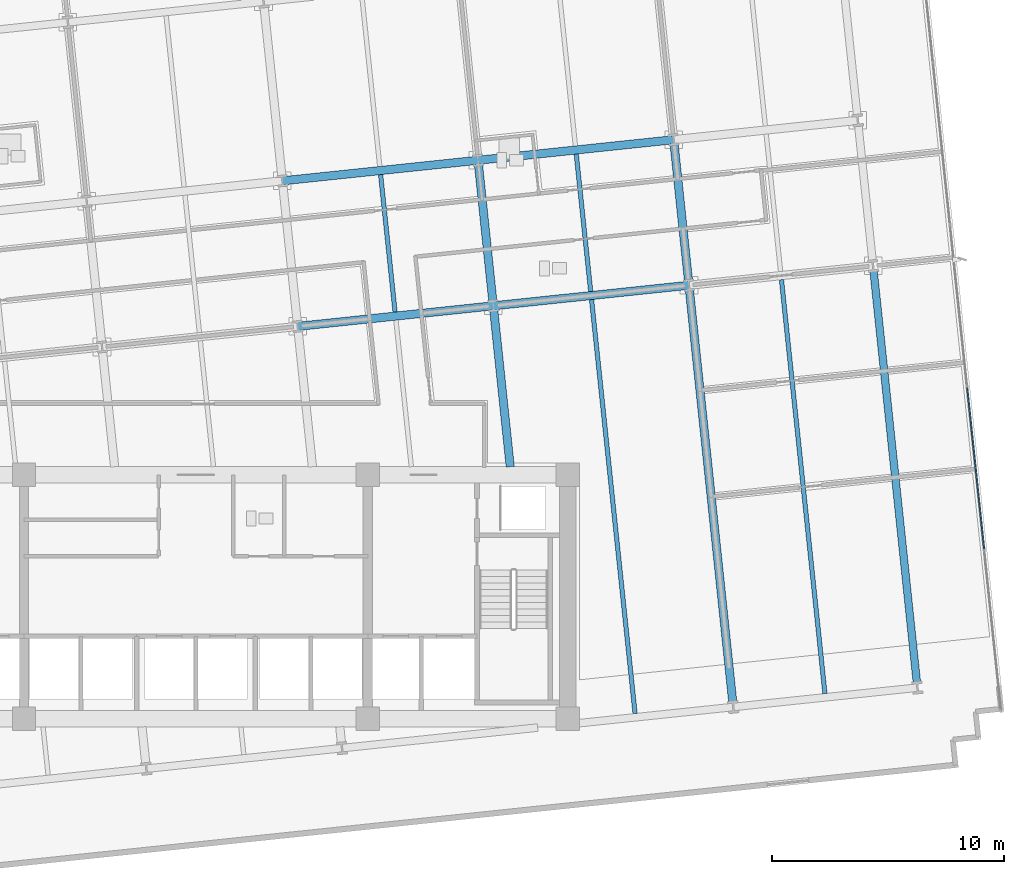
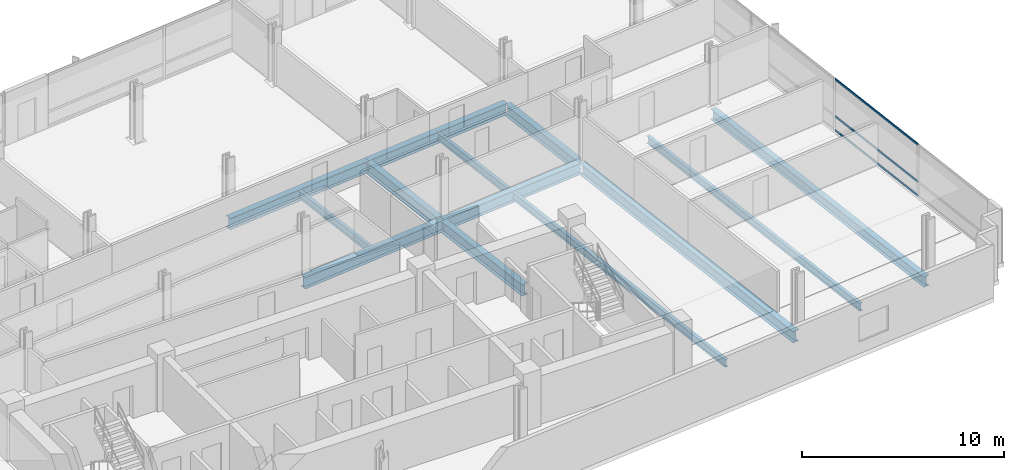
# One storey, part 7 of 21: 13 beams, 3 members, 1 element without a shape of its own.
"""IFC4 building model written with IfcOpenShell, lengths in metres."""

from ifc_helpers import new_model, si_unit, direction, frame, origin, origin_2d, place, context, subcontext, project, spatial, rectangle, i_section, extrude, material, material_profile, profile_set, type_object, element, aggregate, save


model = new_model("IFC4")

# Units and contexts
model_context = context("Model", 3, precision=1e-05, world=origin(), true_north=direction((0.0, 1.0)))
body_context = subcontext(model_context, "Body", "Model", "MODEL_VIEW")
ifc_project = project(units=[si_unit("LENGTHUNIT", "METRE"), si_unit("AREAUNIT", "SQUARE_METRE"), si_unit("VOLUMEUNIT", "CUBIC_METRE"), si_unit("PLANEANGLEUNIT", "RADIAN"), si_unit("MASSUNIT", "GRAM", prefix="KILO")], contexts=[model_context])

# Site, building, storey
site_placement = place(None, origin())
site = spatial("IfcSite", under=ifc_project, at=site_placement, CompositionType="ELEMENT")
building_placement = place(site_placement, origin())
building = spatial("IfcBuilding", under=site, at=building_placement, Name="Solmavex Isthmus Hotel", CompositionType="ELEMENT")
storey_placement = place(building_placement, frame((0.0, 0.0, 106.35009765625)))
storey = spatial("IfcBuildingStorey", under=building, at=storey_placement, Name="L28", CompositionType="ELEMENT", Elevation=106.35009765625)

# Beams
ifc_material_1 = material(Name="Steel ASTM A992 Grade 50", Category="steel")
ifc_material_profile_1 = material_profile(ifc_material_1, i_section(OverallWidth=0.354736328125, OverallDepth=0.695556640625, WebThickness=0.015380859375, FlangeThickness=0.02490234375, FilletRadius=0.017822265625, at=origin_2d()), Name="W27X146")
ifc_profile_set_1 = profile_set([ifc_material_profile_1], Name="Steel ASTM A992 Grade 50")
beam_type_1 = type_object("IfcBeamType", Name="BM-BG-W27X146", PredefinedType="BEAM", material=ifc_profile_set_1)
for number, where, z_axis, x_axis, name in (
    (1, (4.38037109375, 3.888427734375, -0.60791015625), (0.994521085209, 0.104536171134, 0.0), (-0.104536171134, 0.994521085209, 0.0), "Floor Girder L28-UG10"),
    (2, (12.800048828125, 4.7734375, -0.60791015625), (0.994521085209, 0.104536171134, 0.0), (-0.104536171134, 0.994521085209, 0.0), "Floor Girder L28-UG11"),
    (3, (3.72216796875, 10.152099609375, -0.60791015625), (0.994524082861, 0.104507648572, 0.0), (-0.104507648572, 0.994524082861, 0.0), "Floor Girder L28-UG16"),
    (4, (12.141845703125, 11.036865234375, -0.60791015625), (0.994521085209, 0.104536171134, 0.0), (-0.104536171134, 0.994521085209, 0.0), "Floor Girder L28-UG17"),
):
    element("IfcBeam", number, at=place(storey_placement, frame(where, z_axis=z_axis, x_axis=x_axis)), inside=storey, type_object=beam_type_1, Name=name, PredefinedType="BEAM", context=body_context, shape_type="SweptSolid", body=[
        extrude(i_section(OverallWidth=0.354736328125, OverallDepth=0.695556640625, WebThickness=0.015380859375, FlangeThickness=0.02490234375, FilletRadius=0.017822265625, at=origin_2d()), origin(), (0.0, 0.0, 1.0), 8.466064453125),
    ])
beam_1_placement = place(storey_placement, frame((13.52783203125, -2.14990234375, -0.60791015625), z_axis=(-0.104544283528, 0.994520232465, 0.0), x_axis=(-0.994520232465, -0.104544283528, 0.0)))
element("IfcBeam", 5, at=beam_1_placement, inside=storey, type_object=beam_type_1, Name="Floor Beam L28-VG40", PredefinedType="BEAM", context=body_context, shape_type="SweptSolid", body=[
    extrude(i_section(OverallWidth=0.354736328125, OverallDepth=0.695556640625, WebThickness=0.015380859375, FlangeThickness=0.02490234375, FilletRadius=0.017822265625, at=origin_2d()), origin(), (0.0, 0.0, 1.0), 6.783935546875),
])
beam_2_placement = place(storey_placement, frame((12.781494140625, 4.949951171875, -0.60791015625), z_axis=(-0.104505160346, 0.994524344328, 0.0), x_axis=(-0.994524344328, -0.104505160346, 0.0)))
element("IfcBeam", 6, at=beam_2_placement, inside=storey, type_object=beam_type_1, Name="Floor Beam L28-VG41", PredefinedType="BEAM", context=body_context, shape_type="SweptSolid", body=[
    extrude(i_section(OverallWidth=0.354736328125, OverallDepth=0.695556640625, WebThickness=0.015380859375, FlangeThickness=0.02490234375, FilletRadius=0.017822265625, at=origin_2d()), origin(), (0.0, 0.0, 1.0), 5.943115234375),
])
beam_3_placement = place(storey_placement, frame((23.1103515625, -12.329345703125, -0.60791015625), z_axis=(-0.104530088192, 0.99452172458, 0.0), x_axis=(-0.99452172458, -0.104530088192, 0.0)))
element("IfcBeam", 7, at=beam_3_placement, inside=storey, type_object=beam_type_1, Name="Floor Beam L28-VG43", PredefinedType="BEAM", context=body_context, shape_type="SweptSolid", body=[
    extrude(i_section(OverallWidth=0.354736328125, OverallDepth=0.695556640625, WebThickness=0.015380859375, FlangeThickness=0.02490234375, FilletRadius=0.017822265625, at=origin_2d()), origin(), (0.0, 0.0, 1.0), 17.909423828125),
])
beam_4_placement = place(storey_placement, frame((21.201171875, 5.834716796875, -0.60791015625), z_axis=(-0.104505160346, 0.994524344328, 0.0), x_axis=(-0.994524344328, -0.104505160346, 0.0)))
element("IfcBeam", 8, at=beam_4_placement, inside=storey, type_object=beam_type_1, Name="Floor Beam L28-VG44", PredefinedType="BEAM", context=body_context, shape_type="SweptSolid", body=[
    extrude(i_section(OverallWidth=0.354736328125, OverallDepth=0.695556640625, WebThickness=0.015380859375, FlangeThickness=0.02490234375, FilletRadius=0.017822265625, at=origin_2d()), origin(), (0.0, 0.0, 1.0), 5.943115234375),
])
ifc_material_profile_2 = material_profile(ifc_material_1, i_section(OverallWidth=0.1904296875, OverallDepth=0.456787109375, WebThickness=0.009033203125, FlangeThickness=0.014404296875, FilletRadius=0.0126953125, at=origin_2d()), Name="W18X50")
ifc_profile_set_2 = profile_set([ifc_material_profile_2], Name="Steel ASTM A992 Grade 50")
beam_type_2 = type_object("IfcBeamType", Name="BM-BJ-W18X50", PredefinedType="JOIST", material=ifc_profile_set_2)
beam_5_placement = place(storey_placement, frame((8.57177734375, 4.50732421875, -0.488525390625), z_axis=(-0.104545790518, 0.994520074048, 0.0), x_axis=(-0.994520074048, -0.104545790518, 0.0)))
element("IfcBeam", 9, at=beam_5_placement, inside=storey, type_object=beam_type_2, Name="Secondary Floor Joist L28-J14", PredefinedType="JOIST", context=body_context, shape_type="SweptSolid", body=[
    extrude(i_section(OverallWidth=0.1904296875, OverallDepth=0.456787109375, WebThickness=0.009033203125, FlangeThickness=0.014404296875, FilletRadius=0.0126953125, at=origin_2d()), origin(), (0.0, 0.0, 1.0), 5.943115234375),
])
beam_6_placement = place(storey_placement, frame((18.900390625, -12.771728515625, -0.488525390625), z_axis=(-0.104516605126, 0.994523141638, 0.0), x_axis=(-0.994523141638, -0.104516605126, 0.0)))
element("IfcBeam", 10, at=beam_6_placement, inside=storey, type_object=beam_type_2, Name="Secondary Floor Joist L28-J16", PredefinedType="JOIST", context=body_context, shape_type="SweptSolid", body=[
    extrude(i_section(OverallWidth=0.1904296875, OverallDepth=0.456787109375, WebThickness=0.009033203125, FlangeThickness=0.014404296875, FilletRadius=0.0126953125, at=origin_2d()), origin(), (0.0, 0.0, 1.0), 17.909423828125),
])
beam_7_placement = place(storey_placement, frame((16.991455078125, 5.392333984375, -0.488525390625), z_axis=(-0.104545790518, 0.994520074048, 0.0), x_axis=(-0.994520074048, -0.104545790518, 0.0)))
element("IfcBeam", 11, at=beam_7_placement, inside=storey, type_object=beam_type_2, Name="Secondary Floor Joist L28-J17", PredefinedType="JOIST", context=body_context, shape_type="SweptSolid", body=[
    extrude(i_section(OverallWidth=0.1904296875, OverallDepth=0.456787109375, WebThickness=0.009033203125, FlangeThickness=0.014404296875, FilletRadius=0.0126953125, at=origin_2d()), origin(), (0.0, 0.0, 1.0), 5.943115234375),
])
beam_8_placement = place(storey_placement, frame((27.072509765625, -11.912841796875, -0.488525390625), z_axis=(-0.104530088192, 0.99452172458, 0.0), x_axis=(-0.99452172458, -0.104530088192, 0.0)))
element("IfcBeam", 12, at=beam_8_placement, inside=storey, type_object=beam_type_2, Name="Secondary Floor Joist L28-J19", PredefinedType="JOIST", context=body_context, shape_type="SweptSolid", body=[
    extrude(i_section(OverallWidth=0.1904296875, OverallDepth=0.456787109375, WebThickness=0.009033203125, FlangeThickness=0.014404296875, FilletRadius=0.0126953125, at=origin_2d()), origin(), (0.0, 0.0, 1.0), 17.909423828125),
])
ifc_material_profile_3 = material_profile(ifc_material_1, i_section(OverallWidth=0.326416015625, OverallDepth=0.621826171875, WebThickness=0.015380859375, FlangeThickness=0.0244140625, FilletRadius=0.01513671875, at=origin_2d()), Name="W24X131")
ifc_profile_set_3 = profile_set([ifc_material_profile_3], Name="Steel ASTM A992 Grade 50")
beam_type_3 = type_object("IfcBeamType", Name="BM-SP-W24X131", PredefinedType="SPANDREL", material=ifc_profile_set_3)
beam_9_placement = place(storey_placement, frame((31.03466796875, -11.496337890625, -0.571044921875), z_axis=(-0.104530088192, 0.99452172458, 0.0), x_axis=(-0.99452172458, -0.104530088192, 0.0)))
element("IfcBeam", 13, at=beam_9_placement, inside=storey, type_object=beam_type_3, Name="Floor Beam L28-VG46", PredefinedType="SPANDREL", context=body_context, shape_type="SweptSolid", body=[
    extrude(i_section(OverallWidth=0.326416015625, OverallDepth=0.621826171875, WebThickness=0.015380859375, FlangeThickness=0.0244140625, FilletRadius=0.01513671875, at=origin_2d()), origin(), (0.0, 0.0, 1.0), 17.909423828125),
])

# Curtain wall, members
ifc_material_2 = material(Name="Aluminium alloy 6063-T6", Category="aluminium")
curtain_wall_type = type_object("IfcCurtainWallType", Name="CW-SYS-06", PredefinedType="NOTDEFINED", material=ifc_material_2)
curtain_wall_placement = place(storey_placement, origin())
curtain_wall = element("IfcCurtainWall", 14, at=curtain_wall_placement, inside=storey, type_object=curtain_wall_type, Name="Stick Curtain Wall CWL-L28-E1", PredefinedType="NOTDEFINED")
ifc_material_profile_4 = material_profile(ifc_material_2, rectangle(XDim=0.06005859375, YDim=0.114990234375, at=origin_2d()), Name="CWT-60X115")
ifc_profile_set_4 = profile_set([ifc_material_profile_4], Name="Aluminium alloy 6063-T6")
member_type = type_object("IfcMemberType", Name="CW-SYS-06-TRN", PredefinedType="USERDEFINED", material=ifc_profile_set_4)
member_1_placement = place(storey_placement, frame((33.922119140625, -5.676025390625, 0.057373046875), z_axis=(-0.104531402636, 0.994521586424, 0.0), x_axis=(-0.994521586424, -0.104531402636, 0.0)))
member_1 = element("IfcMember", 15, at=member_1_placement, type_object=member_type, Name="CW-06 transom 2.1", ObjectType="TRANSOM", PredefinedType="USERDEFINED", context=body_context, shape_type="SweptSolid", body=[
    extrude(rectangle(XDim=0.06005859375, YDim=0.114990234375, at=origin_2d()), origin(), (0.0, 0.0, 1.0), 6.9599609375),
])
member_2_placement = place(storey_placement, frame((33.922119140625, -5.676025390625, 0.89990234375), z_axis=(-0.104531402636, 0.994521586424, 0.0), x_axis=(-0.994521586424, -0.104531402636, 0.0)))
member_2 = element("IfcMember", 16, at=member_2_placement, type_object=member_type, Name="CW-06 transom 2.2", ObjectType="TRANSOM", PredefinedType="USERDEFINED", context=body_context, shape_type="SweptSolid", body=[
    extrude(rectangle(XDim=0.06005859375, YDim=0.114990234375, at=origin_2d()), origin(), (0.0, 0.0, 1.0), 6.9599609375),
])
member_3_placement = place(storey_placement, frame((33.922119140625, -5.676025390625, 3.13232421875), z_axis=(-0.104531402636, 0.994521586424, 0.0), x_axis=(-0.994521586424, -0.104531402636, 0.0)))
member_3 = element("IfcMember", 17, at=member_3_placement, type_object=member_type, Name="CW-06 transom 2.3", ObjectType="TRANSOM", PredefinedType="USERDEFINED", context=body_context, shape_type="SweptSolid", body=[
    extrude(rectangle(XDim=0.06005859375, YDim=0.114990234375, at=origin_2d()), origin(), (0.0, 0.0, 1.0), 6.9599609375),
])
aggregate(curtain_wall, [member_1, member_2, member_3])

save(model, "model.ifc")
